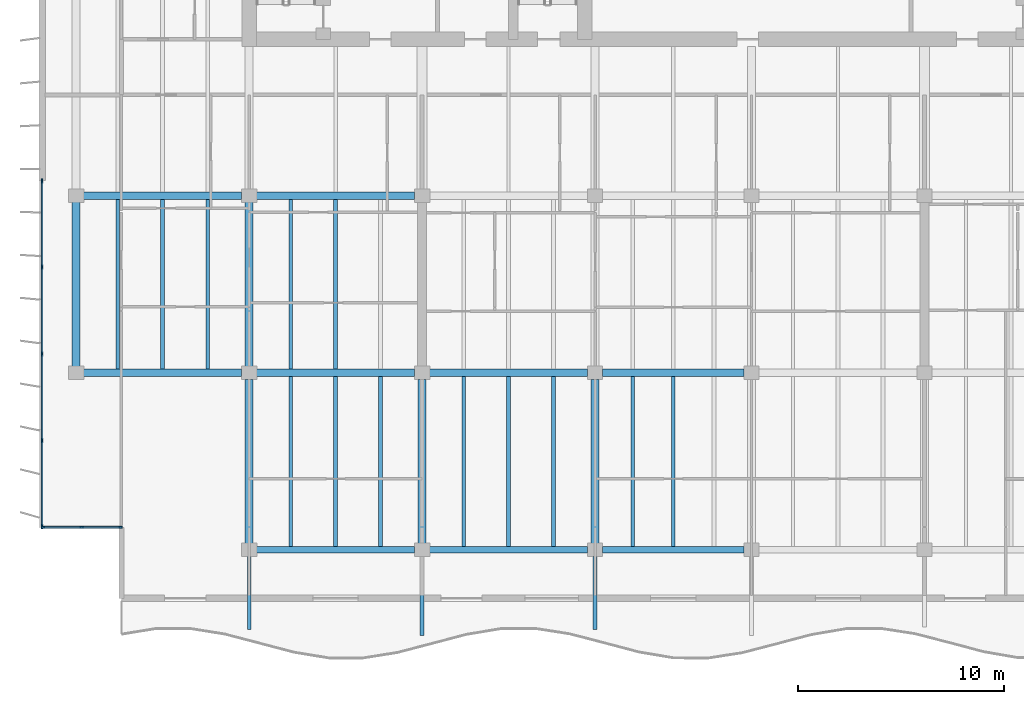
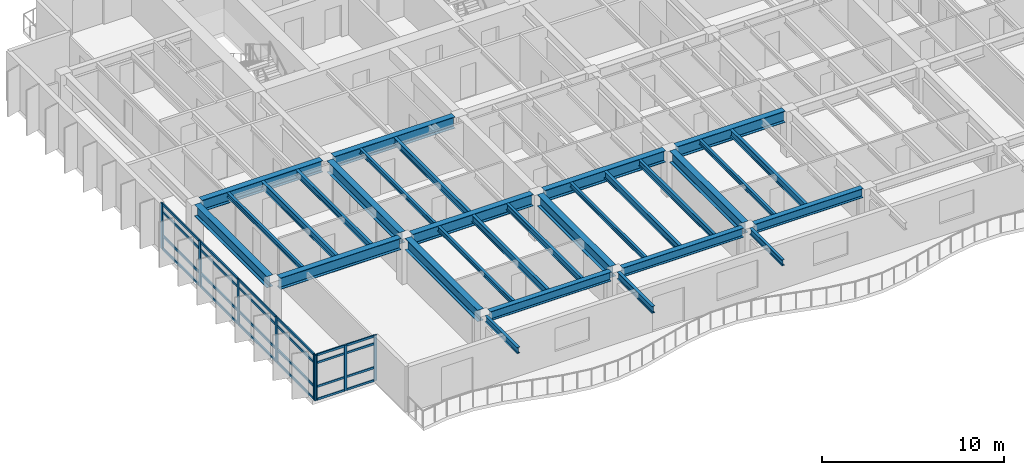
# One storey, part 2 of 17: 32 members, 30 beams, 2 elements without a shape of their own.
"""IFC4 building model written with IfcOpenShell, lengths in metres."""

from ifc_helpers import new_model, si_unit, direction, frame, origin, origin_2d, place, context, subcontext, project, spatial, rectangle, i_section, extrude, material, layer, layer_set, material_profile, profile_set, type_object, element, aggregate, save


model = new_model("IFC4")

# Units and contexts
model_context = context("Model", 3, precision=1e-05, world=origin(), true_north=direction((0.0, 1.0)))
body_context = subcontext(model_context, "Body", "Model", "MODEL_VIEW")
ifc_project = project(units=[si_unit("LENGTHUNIT", "METRE"), si_unit("AREAUNIT", "SQUARE_METRE"), si_unit("VOLUMEUNIT", "CUBIC_METRE"), si_unit("PLANEANGLEUNIT", "RADIAN"), si_unit("MASSUNIT", "GRAM", prefix="KILO")], contexts=[model_context])

# Site, building, storey
site_placement = place(None, origin())
site = spatial("IfcSite", under=ifc_project, at=site_placement, CompositionType="ELEMENT")
building_placement = place(site_placement, origin())
building = spatial("IfcBuilding", under=site, at=building_placement, Name="Caelmar Bay Residences", CompositionType="ELEMENT")
storey_placement = place(building_placement, frame((0.0, 0.0, 259.5)))
storey = spatial("IfcBuildingStorey", under=building, at=storey_placement, Name="L73", CompositionType="ELEMENT", Elevation=259.5)

# Beams
ifc_material_1 = material(Name="Steel ASTM A992 Grade 50", Category="steel")
ifc_material_profile_1 = material_profile(ifc_material_1, i_section(OverallWidth=0.177978515625, OverallDepth=0.406005859375, WebThickness=0.0078125, FlangeThickness=0.0126953125, FilletRadius=0.0087890625, at=origin_2d()), Name="W16X40")
ifc_profile_set_1 = profile_set([ifc_material_profile_1], Name="Steel ASTM A992 Grade 50")
beam_type_1 = type_object("IfcBeamType", Name="BM-BAL-W16X40", PredefinedType="JOIST", material=ifc_profile_set_1)
for number, where, z_axis, x_axis, name in (
    (1, (24.68408203125, 12.362548828125, 2.846923828125), (0.0, 1.0, 0.0), (-1.0, 0.0, 0.0), "L73 Composite Floor Joist 3"),
    (2, (33.083984375, 12.362548828125, 2.846923828125), (0.0, 1.0, 0.0), (-1.0, 0.0, 0.0), "L73 Composite Floor Joist 6"),
):
    element("IfcBeam", number, at=place(storey_placement, frame(where, z_axis=z_axis, x_axis=x_axis)), inside=storey, type_object=beam_type_1, Name=name, PredefinedType="JOIST", context=body_context, shape_type="SweptSolid", body=[
        extrude(i_section(OverallWidth=0.177978515625, OverallDepth=0.406005859375, WebThickness=0.0078125, FlangeThickness=0.0126953125, FilletRadius=0.0087890625, at=origin_2d()), origin(), (0.0, 0.0, 1.0), 8.2470703125),
    ])
beam_1_placement = place(storey_placement, frame((16.283935546875, 20.990478515625, 2.846923828125), z_axis=(0.0, 1.0, 0.0), x_axis=(-1.0, 0.0, 0.0)))
element("IfcBeam", 3, at=beam_1_placement, inside=storey, type_object=beam_type_1, Name="L73 Composite Floor Joist 18", PredefinedType="JOIST", context=body_context, shape_type="SweptSolid", body=[
    extrude(i_section(OverallWidth=0.177978515625, OverallDepth=0.406005859375, WebThickness=0.0078125, FlangeThickness=0.0126953125, FilletRadius=0.0087890625, at=origin_2d()), origin(), (0.0, 0.0, 1.0), 8.218994140625),
])
for number, where, z_axis, x_axis, name in (
    (4, (18.300048828125, 11.885009765625, 2.846923828125), (0.0, -1.0, 0.0), (1.0, 0.0, 0.0), "L74 South Balcony Cantilever Bracket 1"),
    (5, (35.10009765625, 11.885009765625, 2.846923828125), (0.0, -1.0, 0.0), (1.0, 0.0, 0.0), "L74 South Balcony Cantilever Bracket 3"),
):
    element("IfcBeam", number, at=place(storey_placement, frame(where, z_axis=z_axis, x_axis=x_axis)), inside=storey, type_object=beam_type_1, Name=name, PredefinedType="JOIST", context=body_context, shape_type="SweptSolid", body=[
        extrude(i_section(OverallWidth=0.177978515625, OverallDepth=0.406005859375, WebThickness=0.0078125, FlangeThickness=0.0126953125, FilletRadius=0.0087890625, at=origin_2d()), origin(), (0.0, 0.0, 1.0), 3.55517578125),
    ])
ifc_material_profile_2 = material_profile(ifc_material_1, i_section(OverallWidth=0.193115234375, OverallDepth=0.467041015625, WebThickness=0.011474609375, FlangeThickness=0.01904296875, FilletRadius=0.01025390625, at=origin_2d()), Name="W18X65")
ifc_profile_set_2 = profile_set([ifc_material_profile_2], Name="Steel ASTM A992 Grade 50")
beam_type_2 = type_object("IfcBeamType", Name="BM-BAL-W18X65", PredefinedType="BEAM", material=ifc_profile_set_2)
beam_2_placement = place(storey_placement, frame((26.699951171875, 11.885009765625, 2.81640625), z_axis=(0.0, -1.0, 0.0), x_axis=(1.0, 0.0, 0.0)))
element("IfcBeam", 6, at=beam_2_placement, inside=storey, type_object=beam_type_2, Name="L74 South Balcony Cantilever Bracket 2", PredefinedType="BEAM", context=body_context, shape_type="SweptSolid", body=[
    extrude(i_section(OverallWidth=0.193115234375, OverallDepth=0.467041015625, WebThickness=0.011474609375, FlangeThickness=0.01904296875, FilletRadius=0.01025390625, at=origin_2d()), origin(), (0.0, 0.0, 1.0), 3.85009765625),
])
ifc_material_profile_3 = material_profile(ifc_material_1, i_section(OverallWidth=0.381103515625, OverallDepth=0.77197265625, WebThickness=0.0166015625, FlangeThickness=0.027099609375, FilletRadius=0.0166015625, at=origin_2d()), Name="W30X173")
ifc_profile_set_3 = profile_set([ifc_material_profile_3], Name="Steel ASTM A992 Grade 50")
beam_type_3 = type_object("IfcBeamType", Name="BM-GRD-W30X173", PredefinedType="BEAM", material=ifc_profile_set_3)
beam_3_placement = place(storey_placement, frame((10.264892578125, 20.800048828125, 2.6640625), z_axis=(1.0, 0.0, 0.0), x_axis=(0.0, 1.0, 0.0)))
element("IfcBeam", 7, at=beam_3_placement, inside=storey, type_object=beam_type_3, Name="L73 East-West Girder Y=20.80 (9.9-18.3)", PredefinedType="BEAM", context=body_context, shape_type="SweptSolid", body=[
    extrude(i_section(OverallWidth=0.381103515625, OverallDepth=0.77197265625, WebThickness=0.0166015625, FlangeThickness=0.027099609375, FilletRadius=0.0166015625, at=origin_2d()), origin(), (0.0, 0.0, 1.0), 7.670166015625),
])
beam_4_placement = place(storey_placement, frame((18.6650390625, 20.800048828125, 2.6640625), z_axis=(1.0, 0.0, 0.0), x_axis=(0.0, 1.0, 0.0)))
element("IfcBeam", 8, at=beam_4_placement, inside=storey, type_object=beam_type_3, Name="L73 East-West Girder Y=20.80 (18.3-26.7)", PredefinedType="BEAM", context=body_context, shape_type="SweptSolid", body=[
    extrude(i_section(OverallWidth=0.381103515625, OverallDepth=0.77197265625, WebThickness=0.0166015625, FlangeThickness=0.027099609375, FilletRadius=0.0166015625, at=origin_2d()), origin(), (0.0, 0.0, 1.0), 7.669921875),
])
beam_5_placement = place(storey_placement, frame((27.06494140625, 20.800048828125, 2.6640625), z_axis=(1.0, 0.0, 0.0), x_axis=(0.0, 1.0, 0.0)))
element("IfcBeam", 9, at=beam_5_placement, inside=storey, type_object=beam_type_3, Name="L73 East-West Girder Y=20.80 (26.7-35.1)", PredefinedType="BEAM", context=body_context, shape_type="SweptSolid", body=[
    extrude(i_section(OverallWidth=0.381103515625, OverallDepth=0.77197265625, WebThickness=0.0166015625, FlangeThickness=0.027099609375, FilletRadius=0.0166015625, at=origin_2d()), origin(), (0.0, 0.0, 1.0), 7.670166015625),
])
beam_6_placement = place(storey_placement, frame((35.465087890625, 20.800048828125, 2.6640625), z_axis=(1.0, 0.0, 0.0), x_axis=(0.0, 1.0, 0.0)))
element("IfcBeam", 10, at=beam_6_placement, inside=storey, type_object=beam_type_3, Name="L73 East-West Girder Y=20.80 (35.1-42.7)", PredefinedType="BEAM", context=body_context, shape_type="SweptSolid", body=[
    extrude(i_section(OverallWidth=0.381103515625, OverallDepth=0.77197265625, WebThickness=0.0166015625, FlangeThickness=0.027099609375, FilletRadius=0.0166015625, at=origin_2d()), origin(), (0.0, 0.0, 1.0), 6.869873046875),
])
beam_7_placement = place(storey_placement, frame((10.264892578125, 29.39990234375, 2.6640625), z_axis=(1.0, 0.0, 0.0), x_axis=(0.0, 1.0, 0.0)))
element("IfcBeam", 11, at=beam_7_placement, inside=storey, type_object=beam_type_3, Name="L73 East-West Girder Y=29.40 (9.9-18.3)", PredefinedType="BEAM", context=body_context, shape_type="SweptSolid", body=[
    extrude(i_section(OverallWidth=0.381103515625, OverallDepth=0.77197265625, WebThickness=0.0166015625, FlangeThickness=0.027099609375, FilletRadius=0.0166015625, at=origin_2d()), origin(), (0.0, 0.0, 1.0), 7.670166015625),
])
beam_8_placement = place(storey_placement, frame((18.6650390625, 29.39990234375, 2.6640625), z_axis=(1.0, 0.0, 0.0), x_axis=(0.0, 1.0, 0.0)))
element("IfcBeam", 12, at=beam_8_placement, inside=storey, type_object=beam_type_3, Name="L73 East-West Girder Y=29.40 (18.3-26.7)", PredefinedType="BEAM", context=body_context, shape_type="SweptSolid", body=[
    extrude(i_section(OverallWidth=0.381103515625, OverallDepth=0.77197265625, WebThickness=0.0166015625, FlangeThickness=0.027099609375, FilletRadius=0.0166015625, at=origin_2d()), origin(), (0.0, 0.0, 1.0), 7.669921875),
])
beam_9_placement = place(storey_placement, frame((9.89990234375, 21.114990234375, 2.6640625), z_axis=(0.0, 1.0, 0.0), x_axis=(-1.0, 0.0, 0.0)))
element("IfcBeam", 13, at=beam_9_placement, inside=storey, type_object=beam_type_3, Name="L73 North-South Girder X=9.90 (20.8-29.4)", PredefinedType="BEAM", context=body_context, shape_type="SweptSolid", body=[
    extrude(i_section(OverallWidth=0.381103515625, OverallDepth=0.77197265625, WebThickness=0.0166015625, FlangeThickness=0.027099609375, FilletRadius=0.0166015625, at=origin_2d()), origin(), (0.0, 0.0, 1.0), 7.969970703125),
])
beam_10_placement = place(storey_placement, frame((18.300048828125, 12.514892578125, 2.6640625), z_axis=(0.0, 1.0, 0.0), x_axis=(-1.0, 0.0, 0.0)))
element("IfcBeam", 14, at=beam_10_placement, inside=storey, type_object=beam_type_3, Name="L73 North-South Girder X=18.30 (12.2-20.8)", PredefinedType="BEAM", context=body_context, shape_type="SweptSolid", body=[
    extrude(i_section(OverallWidth=0.381103515625, OverallDepth=0.77197265625, WebThickness=0.0166015625, FlangeThickness=0.027099609375, FilletRadius=0.0166015625, at=origin_2d()), origin(), (0.0, 0.0, 1.0), 7.97021484375),
])
beam_11_placement = place(storey_placement, frame((18.300048828125, 21.114990234375, 2.6640625), z_axis=(0.0, 1.0, 0.0), x_axis=(-1.0, 0.0, 0.0)))
element("IfcBeam", 15, at=beam_11_placement, inside=storey, type_object=beam_type_3, Name="L73 North-South Girder X=18.30 (20.8-29.4)", PredefinedType="BEAM", context=body_context, shape_type="SweptSolid", body=[
    extrude(i_section(OverallWidth=0.381103515625, OverallDepth=0.77197265625, WebThickness=0.0166015625, FlangeThickness=0.027099609375, FilletRadius=0.0166015625, at=origin_2d()), origin(), (0.0, 0.0, 1.0), 7.969970703125),
])
for number, where, z_axis, x_axis, name in (
    (16, (26.699951171875, 12.514892578125, 2.6640625), (0.0, 1.0, 0.0), (-1.0, 0.0, 0.0), "L73 North-South Girder X=26.70 (12.2-20.8)"),
    (17, (35.10009765625, 12.514892578125, 2.6640625), (0.0, 1.0, 0.0), (-1.0, 0.0, 0.0), "L73 North-South Girder X=35.10 (12.2-20.8)"),
):
    element("IfcBeam", number, at=place(storey_placement, frame(where, z_axis=z_axis, x_axis=x_axis)), inside=storey, type_object=beam_type_3, Name=name, PredefinedType="BEAM", context=body_context, shape_type="SweptSolid", body=[
        extrude(i_section(OverallWidth=0.381103515625, OverallDepth=0.77197265625, WebThickness=0.0166015625, FlangeThickness=0.027099609375, FilletRadius=0.0166015625, at=origin_2d()), origin(), (0.0, 0.0, 1.0), 7.97021484375),
    ])
ifc_material_profile_4 = material_profile(ifc_material_1, i_section(OverallWidth=0.1650390625, OverallDepth=0.31005859375, WebThickness=0.005859375, FlangeThickness=0.009765625, FilletRadius=0.007568359375, at=origin_2d()), Name="W12X26")
ifc_profile_set_4 = profile_set([ifc_material_profile_4], Name="Steel ASTM A992 Grade 50")
beam_type_4 = type_object("IfcBeamType", Name="BM-JST-W12X26", PredefinedType="JOIST", material=ifc_profile_set_4)
for number, where, z_axis, x_axis, name in (
    (18, (20.31591796875, 12.362548828125, 2.89501953125), (0.0, 1.0, 0.0), (-1.0, 0.0, 0.0), "L73 Composite Floor Joist 1"),
    (19, (28.716064453125, 12.362548828125, 2.89501953125), (0.0, 1.0, 0.0), (-1.0, 0.0, 0.0), "L73 Composite Floor Joist 4"),
    (20, (36.924072265625, 12.362548828125, 2.89501953125), (0.0, 1.0, 0.0), (-1.0, 0.0, 0.0), "L73 Composite Floor Joist 7"),
):
    element("IfcBeam", number, at=place(storey_placement, frame(where, z_axis=z_axis, x_axis=x_axis)), inside=storey, type_object=beam_type_4, Name=name, PredefinedType="JOIST", context=body_context, shape_type="SweptSolid", body=[
        extrude(i_section(OverallWidth=0.1650390625, OverallDepth=0.31005859375, WebThickness=0.005859375, FlangeThickness=0.009765625, FilletRadius=0.007568359375, at=origin_2d()), origin(), (0.0, 0.0, 1.0), 8.2470703125),
    ])
for number, where, z_axis, x_axis, name in (
    (21, (11.916015625, 20.990478515625, 2.89501953125), (0.0, 1.0, 0.0), (-1.0, 0.0, 0.0), "L73 Composite Floor Joist 16"),
    (22, (20.31591796875, 20.990478515625, 2.89501953125), (0.0, 1.0, 0.0), (-1.0, 0.0, 0.0), "L73 Composite Floor Joist 19"),
):
    element("IfcBeam", number, at=place(storey_placement, frame(where, z_axis=z_axis, x_axis=x_axis)), inside=storey, type_object=beam_type_4, Name=name, PredefinedType="JOIST", context=body_context, shape_type="SweptSolid", body=[
        extrude(i_section(OverallWidth=0.1650390625, OverallDepth=0.31005859375, WebThickness=0.005859375, FlangeThickness=0.009765625, FilletRadius=0.007568359375, at=origin_2d()), origin(), (0.0, 0.0, 1.0), 8.218994140625),
    ])
ifc_material_profile_5 = material_profile(ifc_material_1, i_section(OverallWidth=0.19091796875, OverallDepth=0.45703125, WebThickness=0.009033203125, FlangeThickness=0.014404296875, FilletRadius=0.01025390625, at=origin_2d()), Name="W18X50")
ifc_profile_set_5 = profile_set([ifc_material_profile_5], Name="Steel ASTM A992 Grade 50")
beam_type_5 = type_object("IfcBeamType", Name="BM-JST-W18X50", PredefinedType="JOIST", material=ifc_profile_set_5)
for number, where, z_axis, x_axis, name in (
    (23, (22.5, 12.362548828125, 2.821533203125), (0.0, 1.0, 0.0), (-1.0, 0.0, 0.0), "L73 Composite Floor Joist 2"),
    (24, (30.89990234375, 12.362548828125, 2.821533203125), (0.0, 1.0, 0.0), (-1.0, 0.0, 0.0), "L73 Composite Floor Joist 5"),
    (25, (38.89990234375, 12.362548828125, 2.821533203125), (0.0, 1.0, 0.0), (-1.0, 0.0, 0.0), "L73 Composite Floor Joist 8"),
):
    element("IfcBeam", number, at=place(storey_placement, frame(where, z_axis=z_axis, x_axis=x_axis)), inside=storey, type_object=beam_type_5, Name=name, PredefinedType="JOIST", context=body_context, shape_type="SweptSolid", body=[
        extrude(i_section(OverallWidth=0.19091796875, OverallDepth=0.45703125, WebThickness=0.009033203125, FlangeThickness=0.014404296875, FilletRadius=0.01025390625, at=origin_2d()), origin(), (0.0, 0.0, 1.0), 8.2470703125),
    ])
for number, where, z_axis, x_axis, name in (
    (26, (14.10009765625, 20.990478515625, 2.821533203125), (0.0, 1.0, 0.0), (-1.0, 0.0, 0.0), "L73 Composite Floor Joist 17"),
    (27, (22.5, 20.990478515625, 2.821533203125), (0.0, 1.0, 0.0), (-1.0, 0.0, 0.0), "L73 Composite Floor Joist 20"),
):
    element("IfcBeam", number, at=place(storey_placement, frame(where, z_axis=z_axis, x_axis=x_axis)), inside=storey, type_object=beam_type_5, Name=name, PredefinedType="JOIST", context=body_context, shape_type="SweptSolid", body=[
        extrude(i_section(OverallWidth=0.19091796875, OverallDepth=0.45703125, WebThickness=0.009033203125, FlangeThickness=0.014404296875, FilletRadius=0.01025390625, at=origin_2d()), origin(), (0.0, 0.0, 1.0), 8.218994140625),
    ])
ifc_material_profile_6 = material_profile(ifc_material_1, i_section(OverallWidth=0.324951171875, OverallDepth=0.616943359375, WebThickness=0.013916015625, FlangeThickness=0.021484375, FilletRadius=0.0126953125, at=origin_2d()), Name="W24X117")
ifc_profile_set_6 = profile_set([ifc_material_profile_6], Name="Steel ASTM A992 Grade 50")
beam_type_6 = type_object("IfcBeamType", Name="BM-SPN-W24X117", PredefinedType="SPANDREL", material=ifc_profile_set_6)
beam_12_placement = place(storey_placement, frame((18.6650390625, 12.199951171875, 2.741455078125), z_axis=(1.0, 0.0, 0.0), x_axis=(0.0, 1.0, 0.0)))
element("IfcBeam", 28, at=beam_12_placement, inside=storey, type_object=beam_type_6, Name="L73 East-West Girder Y=12.20 (18.3-26.7)", PredefinedType="SPANDREL", context=body_context, shape_type="SweptSolid", body=[
    extrude(i_section(OverallWidth=0.324951171875, OverallDepth=0.616943359375, WebThickness=0.013916015625, FlangeThickness=0.021484375, FilletRadius=0.0126953125, at=origin_2d()), origin(), (0.0, 0.0, 1.0), 7.669921875),
])
beam_13_placement = place(storey_placement, frame((27.06494140625, 12.199951171875, 2.741455078125), z_axis=(1.0, 0.0, 0.0), x_axis=(0.0, 1.0, 0.0)))
element("IfcBeam", 29, at=beam_13_placement, inside=storey, type_object=beam_type_6, Name="L73 East-West Girder Y=12.20 (26.7-35.1)", PredefinedType="SPANDREL", context=body_context, shape_type="SweptSolid", body=[
    extrude(i_section(OverallWidth=0.324951171875, OverallDepth=0.616943359375, WebThickness=0.013916015625, FlangeThickness=0.021484375, FilletRadius=0.0126953125, at=origin_2d()), origin(), (0.0, 0.0, 1.0), 7.670166015625),
])
beam_14_placement = place(storey_placement, frame((35.465087890625, 12.199951171875, 2.741455078125), z_axis=(1.0, 0.0, 0.0), x_axis=(0.0, 1.0, 0.0)))
element("IfcBeam", 30, at=beam_14_placement, inside=storey, type_object=beam_type_6, Name="L73 East-West Girder Y=12.20 (35.1-42.7)", PredefinedType="SPANDREL", context=body_context, shape_type="SweptSolid", body=[
    extrude(i_section(OverallWidth=0.324951171875, OverallDepth=0.616943359375, WebThickness=0.013916015625, FlangeThickness=0.021484375, FilletRadius=0.0126953125, at=origin_2d()), origin(), (0.0, 0.0, 1.0), 6.869873046875),
])

# Curtain wall, members
ifc_material_2 = material(Name="Anodised bronze aluminium 6063-T6 and laminated glass", Category="aluminium")
ifc_layer_1 = layer(ifc_material_2, 0.179931640625)
ifc_layer_set_1 = layer_set([ifc_layer_1], Name="Anodised bronze aluminium 6063-T6 and laminated glass")
curtain_wall_type_1 = type_object("IfcCurtainWallType", Name="CW6-NTC", PredefinedType="NOTDEFINED", material=ifc_layer_set_1)
curtain_wall_1_placement = place(storey_placement, origin())
curtain_wall_1 = element("IfcCurtainWall", 31, at=curtain_wall_1_placement, inside=storey, type_object=curtain_wall_type_1, Name="CW6 curtain wall L73", PredefinedType="NOTDEFINED")
ifc_material_3 = material(Name="Anodised bronze aluminium 6063-T6", Category="aluminium")
ifc_material_profile_7 = material_profile(ifc_material_3, rectangle(XDim=0.080078125, YDim=0.179931640625, at=origin_2d()), Name="CWM-80X180")
ifc_profile_set_7 = profile_set([ifc_material_profile_7], Name="Anodised bronze aluminium 6063-T6")
member_type_1 = type_object("IfcMemberType", Name="CWM-180", PredefinedType="MULLION", material=ifc_profile_set_7)
member_1_placement = place(storey_placement, frame((8.2900390625, 13.300048828125, 0.0), z_axis=(0.0, 0.0, 1.0), x_axis=(0.0, 1.0, 0.0)))
member_1 = element("IfcMember", 32, at=member_1_placement, type_object=member_type_1, Name="CW6 mullion 1", PredefinedType="MULLION", context=body_context, shape_type="SweptSolid", body=[
    extrude(rectangle(XDim=0.080078125, YDim=0.179931640625, at=origin_2d()), origin(), (0.0, 0.0, 1.0), 3.050048828125),
])
member_2_placement = place(storey_placement, frame((10.175048828125, 13.300048828125, 0.0), z_axis=(0.0, 0.0, 1.0), x_axis=(0.0, 1.0, 0.0)))
member_2 = element("IfcMember", 33, at=member_2_placement, type_object=member_type_1, Name="CW6 mullion 2", PredefinedType="MULLION", context=body_context, shape_type="SweptSolid", body=[
    extrude(rectangle(XDim=0.080078125, YDim=0.179931640625, at=origin_2d()), origin(), (0.0, 0.0, 1.0), 3.050048828125),
])
member_3_placement = place(storey_placement, frame((12.06005859375, 13.300048828125, 0.0), z_axis=(0.0, 0.0, 1.0), x_axis=(0.0, 1.0, 0.0)))
member_3 = element("IfcMember", 34, at=member_3_placement, type_object=member_type_1, Name="CW6 mullion 3", PredefinedType="MULLION", context=body_context, shape_type="SweptSolid", body=[
    extrude(rectangle(XDim=0.080078125, YDim=0.179931640625, at=origin_2d()), origin(), (0.0, 0.0, 1.0), 3.050048828125),
])

ifc_layer_2 = layer(ifc_material_2, 0.179931640625)
ifc_layer_set_2 = layer_set([ifc_layer_2], Name="Anodised bronze aluminium 6063-T6 and laminated glass")
curtain_wall_type_2 = type_object("IfcCurtainWallType", Name="CW5-Z4", PredefinedType="NOTDEFINED", material=ifc_layer_set_2)
curtain_wall_2_placement = place(storey_placement, origin())
curtain_wall_2 = element("IfcCurtainWall", 35, at=curtain_wall_2_placement, inside=storey, type_object=curtain_wall_type_2, Name="CW5 curtain wall L73", PredefinedType="NOTDEFINED")
ifc_material_profile_8 = material_profile(ifc_material_3, rectangle(XDim=0.080078125, YDim=0.219970703125, at=origin_2d()), Name="CWM-80X220")
ifc_profile_set_8 = profile_set([ifc_material_profile_8], Name="Anodised bronze aluminium 6063-T6")
member_type_2 = type_object("IfcMemberType", Name="CWM-220", PredefinedType="MULLION", material=ifc_profile_set_8)
member_4_placement = place(storey_placement, frame((8.25, 13.340087890625, 0.0), z_axis=(0.0, 0.0, 1.0), x_axis=(-1.0, 0.0, 0.0)))
member_4 = element("IfcMember", 36, at=member_4_placement, type_object=member_type_2, Name="CW5 mullion 1", PredefinedType="MULLION", context=body_context, shape_type="SweptSolid", body=[
    extrude(rectangle(XDim=0.080078125, YDim=0.219970703125, at=origin_2d()), origin(), (0.0, 0.0, 1.0), 3.050048828125),
])
member_5_placement = place(storey_placement, frame((8.25, 17.512451171875, 0.0), z_axis=(0.0, 0.0, 1.0), x_axis=(-1.0, 0.0, 0.0)))
member_5 = element("IfcMember", 37, at=member_5_placement, type_object=member_type_2, Name="CW5 mullion 2", PredefinedType="MULLION", context=body_context, shape_type="SweptSolid", body=[
    extrude(rectangle(XDim=0.080078125, YDim=0.219970703125, at=origin_2d()), origin(), (0.0, 0.0, 1.0), 3.050048828125),
])
member_6_placement = place(storey_placement, frame((8.25, 21.72509765625, 0.0), z_axis=(0.0, 0.0, 1.0), x_axis=(-1.0, 0.0, 0.0)))
member_6 = element("IfcMember", 38, at=member_6_placement, type_object=member_type_2, Name="CW5 mullion 3", PredefinedType="MULLION", context=body_context, shape_type="SweptSolid", body=[
    extrude(rectangle(XDim=0.080078125, YDim=0.219970703125, at=origin_2d()), origin(), (0.0, 0.0, 1.0), 3.050048828125),
])
member_7_placement = place(storey_placement, frame((8.25, 25.9375, 0.0), z_axis=(0.0, 0.0, 1.0), x_axis=(-1.0, 0.0, 0.0)))
member_7 = element("IfcMember", 39, at=member_7_placement, type_object=member_type_2, Name="CW5 mullion 4", PredefinedType="MULLION", context=body_context, shape_type="SweptSolid", body=[
    extrude(rectangle(XDim=0.080078125, YDim=0.219970703125, at=origin_2d()), origin(), (0.0, 0.0, 1.0), 3.050048828125),
])
member_8_placement = place(storey_placement, frame((8.25, 30.110107421875, 0.0), z_axis=(0.0, 0.0, 1.0), x_axis=(-1.0, 0.0, 0.0)))
member_8 = element("IfcMember", 40, at=member_8_placement, type_object=member_type_2, Name="CW5 mullion 5", PredefinedType="MULLION", context=body_context, shape_type="SweptSolid", body=[
    extrude(rectangle(XDim=0.080078125, YDim=0.219970703125, at=origin_2d()), origin(), (0.0, 0.0, 1.0), 3.050048828125),
])

# Member
ifc_material_profile_9 = material_profile(ifc_material_3, rectangle(XDim=0.080078125, YDim=0.139892578125, at=origin_2d()), Name="CWT-80X140")
ifc_profile_set_9 = profile_set([ifc_material_profile_9], Name="Anodised bronze aluminium 6063-T6")
member_type_3 = type_object("IfcMemberType", Name="CWT-140", PredefinedType="NOTDEFINED", material=ifc_profile_set_9)
member_9_placement = place(storey_placement, frame((8.330078125, 13.300048828125, 0.0400390625), z_axis=(1.0, 0.0, 0.0), x_axis=(0.0, 1.0, 0.0)))
member_9 = element("IfcMember", 41, at=member_9_placement, type_object=member_type_3, Name="CW6 transom 1.1", ObjectType="TRANSOM", PredefinedType="USERDEFINED", context=body_context, shape_type="SweptSolid", body=[
    extrude(rectangle(XDim=0.080078125, YDim=0.139892578125, at=origin_2d()), origin(), (0.0, 0.0, 1.0), 1.804931640625),
])

member_10_placement = place(storey_placement, frame((8.330078125, 13.300048828125, 0.89990234375), z_axis=(1.0, 0.0, 0.0), x_axis=(0.0, 1.0, 0.0)))
member_10 = element("IfcMember", 42, at=member_10_placement, type_object=member_type_3, Name="CW6 transom 1.2", ObjectType="TRANSOM", PredefinedType="USERDEFINED", context=body_context, shape_type="SweptSolid", body=[
    extrude(rectangle(XDim=0.080078125, YDim=0.139892578125, at=origin_2d()), origin(), (0.0, 0.0, 1.0), 1.804931640625),
])

member_11_placement = place(storey_placement, frame((8.330078125, 13.300048828125, 2.5), z_axis=(1.0, 0.0, 0.0), x_axis=(0.0, 1.0, 0.0)))
member_11 = element("IfcMember", 43, at=member_11_placement, type_object=member_type_3, Name="CW6 transom 1.3", ObjectType="TRANSOM", PredefinedType="USERDEFINED", context=body_context, shape_type="SweptSolid", body=[
    extrude(rectangle(XDim=0.080078125, YDim=0.139892578125, at=origin_2d()), origin(), (0.0, 0.0, 1.0), 1.804931640625),
])

member_12_placement = place(storey_placement, frame((8.330078125, 13.300048828125, 3.010009765625), z_axis=(1.0, 0.0, 0.0), x_axis=(0.0, 1.0, 0.0)))
member_12 = element("IfcMember", 44, at=member_12_placement, type_object=member_type_3, Name="CW6 transom 1.4", ObjectType="TRANSOM", PredefinedType="USERDEFINED", context=body_context, shape_type="SweptSolid", body=[
    extrude(rectangle(XDim=0.080078125, YDim=0.139892578125, at=origin_2d()), origin(), (0.0, 0.0, 1.0), 1.804931640625),
])

member_13_placement = place(storey_placement, frame((10.215087890625, 13.300048828125, 0.0400390625), z_axis=(1.0, 0.0, 0.0), x_axis=(0.0, 1.0, 0.0)))
member_13 = element("IfcMember", 45, at=member_13_placement, type_object=member_type_3, Name="CW6 transom 2.1", ObjectType="TRANSOM", PredefinedType="USERDEFINED", context=body_context, shape_type="SweptSolid", body=[
    extrude(rectangle(XDim=0.080078125, YDim=0.139892578125, at=origin_2d()), origin(), (0.0, 0.0, 1.0), 1.804931640625),
])

member_14_placement = place(storey_placement, frame((10.215087890625, 13.300048828125, 0.89990234375), z_axis=(1.0, 0.0, 0.0), x_axis=(0.0, 1.0, 0.0)))
member_14 = element("IfcMember", 46, at=member_14_placement, type_object=member_type_3, Name="CW6 transom 2.2", ObjectType="TRANSOM", PredefinedType="USERDEFINED", context=body_context, shape_type="SweptSolid", body=[
    extrude(rectangle(XDim=0.080078125, YDim=0.139892578125, at=origin_2d()), origin(), (0.0, 0.0, 1.0), 1.804931640625),
])

member_15_placement = place(storey_placement, frame((10.215087890625, 13.300048828125, 2.5), z_axis=(1.0, 0.0, 0.0), x_axis=(0.0, 1.0, 0.0)))
member_15 = element("IfcMember", 47, at=member_15_placement, type_object=member_type_3, Name="CW6 transom 2.3", ObjectType="TRANSOM", PredefinedType="USERDEFINED", context=body_context, shape_type="SweptSolid", body=[
    extrude(rectangle(XDim=0.080078125, YDim=0.139892578125, at=origin_2d()), origin(), (0.0, 0.0, 1.0), 1.804931640625),
])

member_16_placement = place(storey_placement, frame((10.215087890625, 13.300048828125, 3.010009765625), z_axis=(1.0, 0.0, 0.0), x_axis=(0.0, 1.0, 0.0)))
member_16 = element("IfcMember", 48, at=member_16_placement, type_object=member_type_3, Name="CW6 transom 2.4", ObjectType="TRANSOM", PredefinedType="USERDEFINED", context=body_context, shape_type="SweptSolid", body=[
    extrude(rectangle(XDim=0.080078125, YDim=0.139892578125, at=origin_2d()), origin(), (0.0, 0.0, 1.0), 1.804931640625),
])

aggregate(curtain_wall_1, [member_1, member_2, member_3, member_9, member_10, member_11, member_12, member_13, member_14, member_15, member_16])

ifc_material_profile_10 = material_profile(ifc_material_3, rectangle(XDim=0.080078125, YDim=0.159912109375, at=origin_2d()), Name="CWT-80X160")
ifc_profile_set_10 = profile_set([ifc_material_profile_10], Name="Anodised bronze aluminium 6063-T6")
member_type_4 = type_object("IfcMemberType", Name="CWT-160", PredefinedType="NOTDEFINED", material=ifc_profile_set_10)
member_17_placement = place(storey_placement, frame((8.25, 13.3798828125, 0.0400390625), z_axis=(0.0, 1.0, 0.0), x_axis=(-1.0, 0.0, 0.0)))
member_17 = element("IfcMember", 49, at=member_17_placement, type_object=member_type_4, Name="CW5 transom 1.1", ObjectType="TRANSOM", PredefinedType="USERDEFINED", context=body_context, shape_type="SweptSolid", body=[
    extrude(rectangle(XDim=0.080078125, YDim=0.159912109375, at=origin_2d()), origin(), (0.0, 0.0, 1.0), 4.092529296875),
])

member_18_placement = place(storey_placement, frame((8.25, 13.3798828125, 0.89990234375), z_axis=(0.0, 1.0, 0.0), x_axis=(-1.0, 0.0, 0.0)))
member_18 = element("IfcMember", 50, at=member_18_placement, type_object=member_type_4, Name="CW5 transom 1.2", ObjectType="TRANSOM", PredefinedType="USERDEFINED", context=body_context, shape_type="SweptSolid", body=[
    extrude(rectangle(XDim=0.080078125, YDim=0.159912109375, at=origin_2d()), origin(), (0.0, 0.0, 1.0), 4.092529296875),
])

member_19_placement = place(storey_placement, frame((8.25, 13.3798828125, 2.5), z_axis=(0.0, 1.0, 0.0), x_axis=(-1.0, 0.0, 0.0)))
member_19 = element("IfcMember", 51, at=member_19_placement, type_object=member_type_4, Name="CW5 transom 1.3", ObjectType="TRANSOM", PredefinedType="USERDEFINED", context=body_context, shape_type="SweptSolid", body=[
    extrude(rectangle(XDim=0.080078125, YDim=0.159912109375, at=origin_2d()), origin(), (0.0, 0.0, 1.0), 4.092529296875),
])

member_20_placement = place(storey_placement, frame((8.25, 13.3798828125, 3.010009765625), z_axis=(0.0, 1.0, 0.0), x_axis=(-1.0, 0.0, 0.0)))
member_20 = element("IfcMember", 52, at=member_20_placement, type_object=member_type_4, Name="CW5 transom 1.4", ObjectType="TRANSOM", PredefinedType="USERDEFINED", context=body_context, shape_type="SweptSolid", body=[
    extrude(rectangle(XDim=0.080078125, YDim=0.159912109375, at=origin_2d()), origin(), (0.0, 0.0, 1.0), 4.092529296875),
])

member_21_placement = place(storey_placement, frame((8.25, 17.552490234375, 0.0400390625), z_axis=(0.0, 1.0, 0.0), x_axis=(-1.0, 0.0, 0.0)))
member_21 = element("IfcMember", 53, at=member_21_placement, type_object=member_type_4, Name="CW5 transom 2.1", ObjectType="TRANSOM", PredefinedType="USERDEFINED", context=body_context, shape_type="SweptSolid", body=[
    extrude(rectangle(XDim=0.080078125, YDim=0.159912109375, at=origin_2d()), origin(), (0.0, 0.0, 1.0), 4.132568359375),
])

member_22_placement = place(storey_placement, frame((8.25, 17.552490234375, 0.89990234375), z_axis=(0.0, 1.0, 0.0), x_axis=(-1.0, 0.0, 0.0)))
member_22 = element("IfcMember", 54, at=member_22_placement, type_object=member_type_4, Name="CW5 transom 2.2", ObjectType="TRANSOM", PredefinedType="USERDEFINED", context=body_context, shape_type="SweptSolid", body=[
    extrude(rectangle(XDim=0.080078125, YDim=0.159912109375, at=origin_2d()), origin(), (0.0, 0.0, 1.0), 4.132568359375),
])

member_23_placement = place(storey_placement, frame((8.25, 17.552490234375, 2.5), z_axis=(0.0, 1.0, 0.0), x_axis=(-1.0, 0.0, 0.0)))
member_23 = element("IfcMember", 55, at=member_23_placement, type_object=member_type_4, Name="CW5 transom 2.3", ObjectType="TRANSOM", PredefinedType="USERDEFINED", context=body_context, shape_type="SweptSolid", body=[
    extrude(rectangle(XDim=0.080078125, YDim=0.159912109375, at=origin_2d()), origin(), (0.0, 0.0, 1.0), 4.132568359375),
])

member_24_placement = place(storey_placement, frame((8.25, 17.552490234375, 3.010009765625), z_axis=(0.0, 1.0, 0.0), x_axis=(-1.0, 0.0, 0.0)))
member_24 = element("IfcMember", 56, at=member_24_placement, type_object=member_type_4, Name="CW5 transom 2.4", ObjectType="TRANSOM", PredefinedType="USERDEFINED", context=body_context, shape_type="SweptSolid", body=[
    extrude(rectangle(XDim=0.080078125, YDim=0.159912109375, at=origin_2d()), origin(), (0.0, 0.0, 1.0), 4.132568359375),
])

member_25_placement = place(storey_placement, frame((8.25, 21.764892578125, 0.0400390625), z_axis=(0.0, 1.0, 0.0), x_axis=(-1.0, 0.0, 0.0)))
member_25 = element("IfcMember", 57, at=member_25_placement, type_object=member_type_4, Name="CW5 transom 3.1", ObjectType="TRANSOM", PredefinedType="USERDEFINED", context=body_context, shape_type="SweptSolid", body=[
    extrude(rectangle(XDim=0.080078125, YDim=0.159912109375, at=origin_2d()), origin(), (0.0, 0.0, 1.0), 4.132568359375),
])

member_26_placement = place(storey_placement, frame((8.25, 21.764892578125, 0.89990234375), z_axis=(0.0, 1.0, 0.0), x_axis=(-1.0, 0.0, 0.0)))
member_26 = element("IfcMember", 58, at=member_26_placement, type_object=member_type_4, Name="CW5 transom 3.2", ObjectType="TRANSOM", PredefinedType="USERDEFINED", context=body_context, shape_type="SweptSolid", body=[
    extrude(rectangle(XDim=0.080078125, YDim=0.159912109375, at=origin_2d()), origin(), (0.0, 0.0, 1.0), 4.132568359375),
])

member_27_placement = place(storey_placement, frame((8.25, 21.764892578125, 2.5), z_axis=(0.0, 1.0, 0.0), x_axis=(-1.0, 0.0, 0.0)))
member_27 = element("IfcMember", 59, at=member_27_placement, type_object=member_type_4, Name="CW5 transom 3.3", ObjectType="TRANSOM", PredefinedType="USERDEFINED", context=body_context, shape_type="SweptSolid", body=[
    extrude(rectangle(XDim=0.080078125, YDim=0.159912109375, at=origin_2d()), origin(), (0.0, 0.0, 1.0), 4.132568359375),
])

member_28_placement = place(storey_placement, frame((8.25, 21.764892578125, 3.010009765625), z_axis=(0.0, 1.0, 0.0), x_axis=(-1.0, 0.0, 0.0)))
member_28 = element("IfcMember", 60, at=member_28_placement, type_object=member_type_4, Name="CW5 transom 3.4", ObjectType="TRANSOM", PredefinedType="USERDEFINED", context=body_context, shape_type="SweptSolid", body=[
    extrude(rectangle(XDim=0.080078125, YDim=0.159912109375, at=origin_2d()), origin(), (0.0, 0.0, 1.0), 4.132568359375),
])

member_29_placement = place(storey_placement, frame((8.25, 25.9775390625, 0.0400390625), z_axis=(0.0, 1.0, 0.0), x_axis=(-1.0, 0.0, 0.0)))
member_29 = element("IfcMember", 61, at=member_29_placement, type_object=member_type_4, Name="CW5 transom 4.1", ObjectType="TRANSOM", PredefinedType="USERDEFINED", context=body_context, shape_type="SweptSolid", body=[
    extrude(rectangle(XDim=0.080078125, YDim=0.159912109375, at=origin_2d()), origin(), (0.0, 0.0, 1.0), 4.092529296875),
])

member_30_placement = place(storey_placement, frame((8.25, 25.9775390625, 0.89990234375), z_axis=(0.0, 1.0, 0.0), x_axis=(-1.0, 0.0, 0.0)))
member_30 = element("IfcMember", 62, at=member_30_placement, type_object=member_type_4, Name="CW5 transom 4.2", ObjectType="TRANSOM", PredefinedType="USERDEFINED", context=body_context, shape_type="SweptSolid", body=[
    extrude(rectangle(XDim=0.080078125, YDim=0.159912109375, at=origin_2d()), origin(), (0.0, 0.0, 1.0), 4.092529296875),
])

member_31_placement = place(storey_placement, frame((8.25, 25.9775390625, 2.5), z_axis=(0.0, 1.0, 0.0), x_axis=(-1.0, 0.0, 0.0)))
member_31 = element("IfcMember", 63, at=member_31_placement, type_object=member_type_4, Name="CW5 transom 4.3", ObjectType="TRANSOM", PredefinedType="USERDEFINED", context=body_context, shape_type="SweptSolid", body=[
    extrude(rectangle(XDim=0.080078125, YDim=0.159912109375, at=origin_2d()), origin(), (0.0, 0.0, 1.0), 4.092529296875),
])

member_32_placement = place(storey_placement, frame((8.25, 25.9775390625, 3.010009765625), z_axis=(0.0, 1.0, 0.0), x_axis=(-1.0, 0.0, 0.0)))
member_32 = element("IfcMember", 64, at=member_32_placement, type_object=member_type_4, Name="CW5 transom 4.4", ObjectType="TRANSOM", PredefinedType="USERDEFINED", context=body_context, shape_type="SweptSolid", body=[
    extrude(rectangle(XDim=0.080078125, YDim=0.159912109375, at=origin_2d()), origin(), (0.0, 0.0, 1.0), 4.092529296875),
])

aggregate(curtain_wall_2, [member_4, member_5, member_6, member_7, member_8, member_17, member_18, member_19, member_20, member_21, member_22, member_23, member_24, member_25, member_26, member_27, member_28, member_29, member_30, member_31, member_32])

save(model, "model.ifc")
